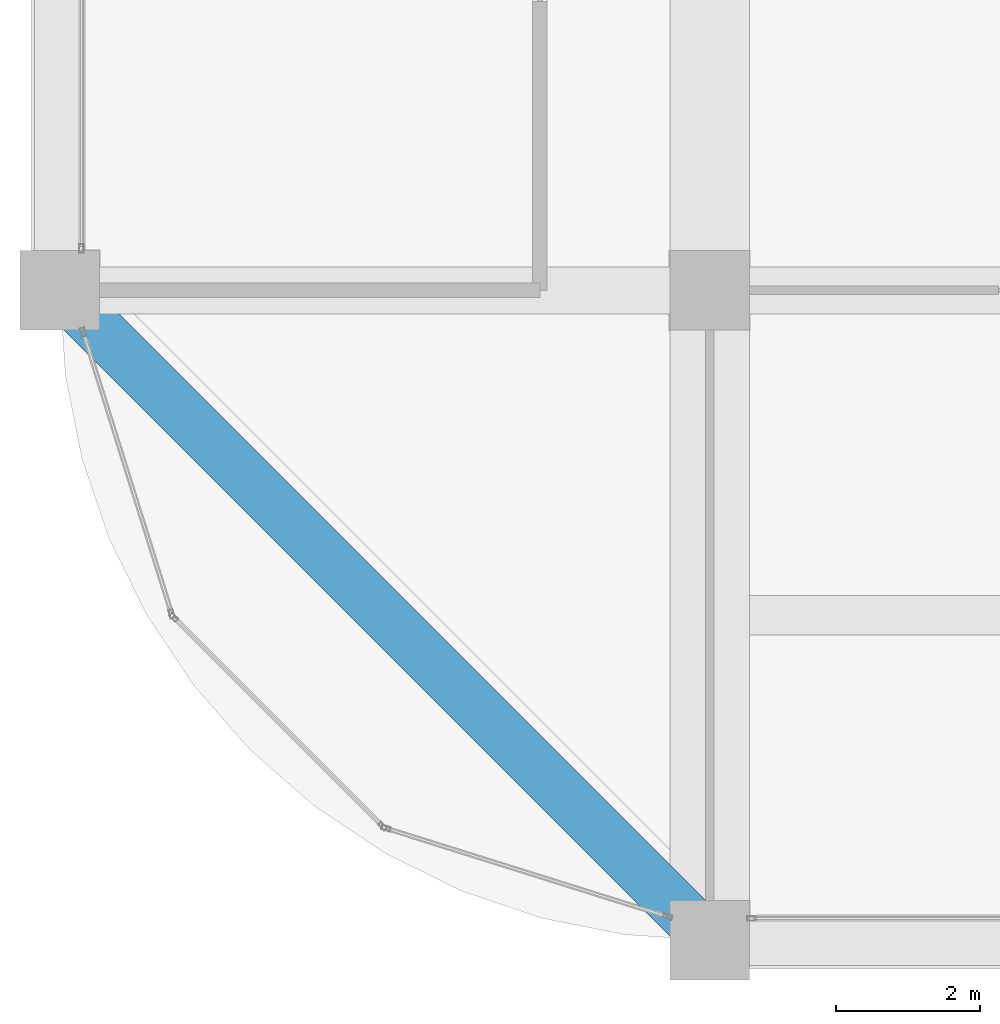
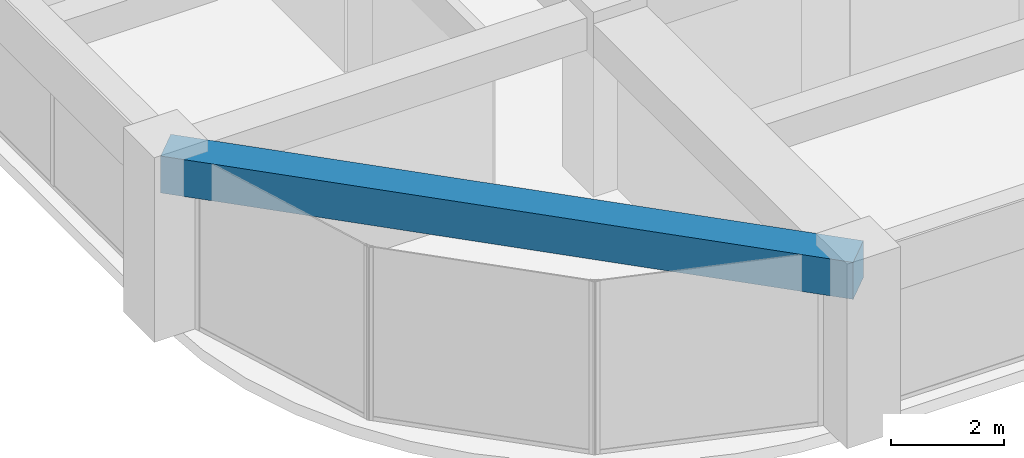
# One storey, part 3 of 44: 1 beam.
"""IFC4 building model written with IfcOpenShell, lengths in metres."""

from ifc_helpers import new_model, si_unit, direction, frame, origin, origin_2d, place, context, subcontext, project, spatial, rectangle, extrude, material, material_profile, profile_set, type_object, element, save


model = new_model("IFC4")

# Units and contexts
model_context = context("Model", 3, precision=1e-05, world=origin(), true_north=direction((0.0, 1.0)))
body_context = subcontext(model_context, "Body", "Model", "MODEL_VIEW")
ifc_project = project(units=[si_unit("LENGTHUNIT", "METRE"), si_unit("AREAUNIT", "SQUARE_METRE"), si_unit("VOLUMEUNIT", "CUBIC_METRE"), si_unit("PLANEANGLEUNIT", "RADIAN"), si_unit("MASSUNIT", "GRAM", prefix="KILO")], contexts=[model_context])

# Site, building, storey
site_placement = place(None, origin())
site = spatial("IfcSite", under=ifc_project, at=site_placement, CompositionType="ELEMENT")
building_placement = place(site_placement, origin())
building = spatial("IfcBuilding", under=site, at=building_placement, Name="Zorevar Civic Tower", CompositionType="ELEMENT")
storey_placement = place(building_placement, frame((0.0, 0.0, 267.39990234375)))
storey = spatial("IfcBuildingStorey", under=building, at=storey_placement, Name="L65", CompositionType="ELEMENT", Elevation=267.39990234375)

# Beam
ifc_material = material(Name="Concrete C50/60", Category="concrete")
ifc_material_profile = material_profile(ifc_material, rectangle(XDim=0.699951171875, YDim=0.800048828125, at=origin_2d()), Name="RC 700x800")
ifc_profile_set = profile_set([ifc_material_profile], Name="Concrete C50/60")
beam_type = type_object("IfcBeamType", Name="Edge beam RC 700x800", PredefinedType="SPANDREL", material=ifc_profile_set)
beam_placement = place(storey_placement, frame((9.0, 9.0, 3.35009765625), z_axis=(0.707106781187, -0.707106781187, 0.0), x_axis=(0.707106781187, 0.707106781187, 0.0)))
element("IfcBeam", 1, at=beam_placement, inside=storey, type_object=beam_type, Name="Corner edge beam L66", PredefinedType="SPANDREL", context=body_context, shape_type="SweptSolid", body=[
    extrude(rectangle(XDim=0.699951171875, YDim=0.800048828125, at=origin_2d()), origin(), (0.0, 0.0, 1.0), 12.72802734375),
])

save(model, "model.ifc")
